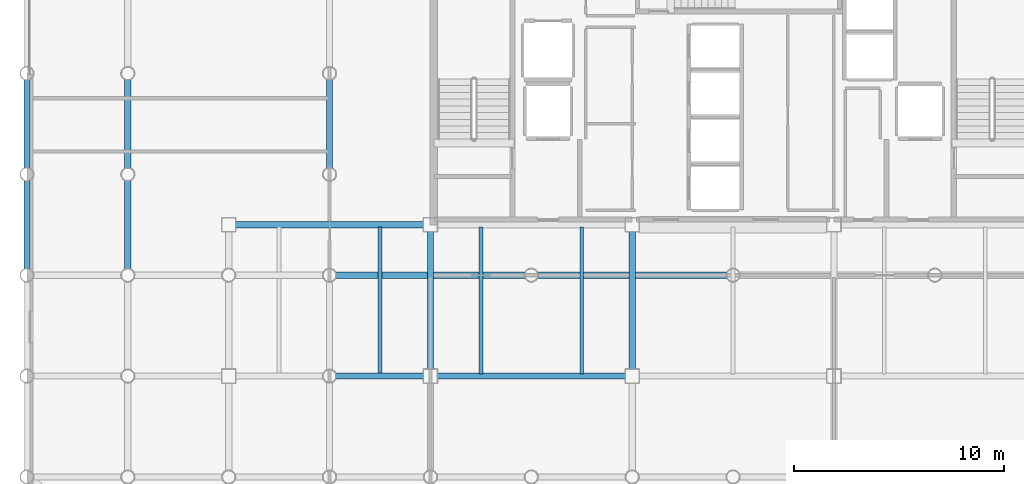
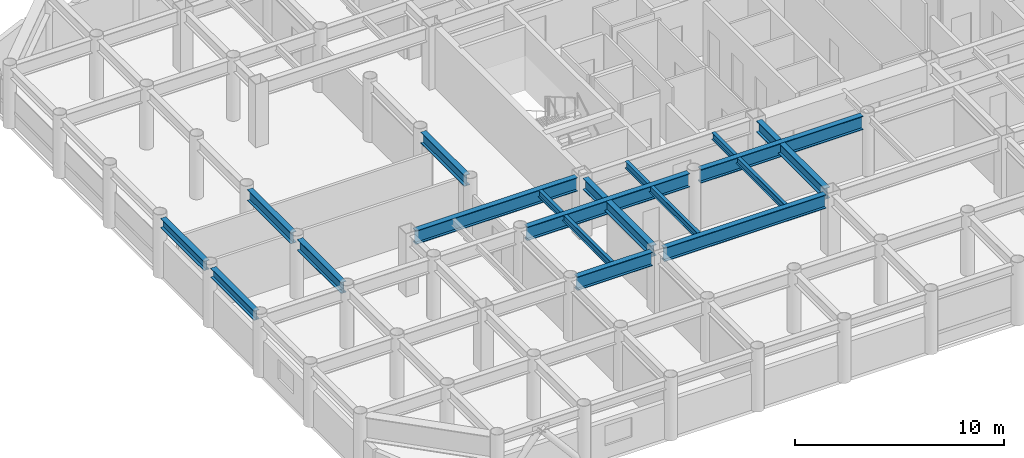
# One storey, part 3 of 19: 15 beams.
"""IFC4 building model written with IfcOpenShell, lengths in metres."""

from ifc_helpers import new_model, si_unit, direction, frame, origin, origin_2d, place, context, subcontext, project, spatial, i_section, extrude, material, material_profile, profile_set, type_object, element, save


model = new_model("IFC4")

# Units and contexts
model_context = context("Model", 3, precision=1e-05, world=origin(), true_north=direction((0.0, 1.0)))
body_context = subcontext(model_context, "Body", "Model", "MODEL_VIEW")
ifc_project = project(units=[si_unit("LENGTHUNIT", "METRE"), si_unit("AREAUNIT", "SQUARE_METRE"), si_unit("VOLUMEUNIT", "CUBIC_METRE"), si_unit("PLANEANGLEUNIT", "RADIAN"), si_unit("MASSUNIT", "GRAM", prefix="KILO")], contexts=[model_context])

# Site, building, storey
site_placement = place(None, origin())
site = spatial("IfcSite", under=ifc_project, at=site_placement, CompositionType="ELEMENT")
building_placement = place(site_placement, origin())
building = spatial("IfcBuilding", under=site, at=building_placement, Name="Kallvorn Hotel Tower", CompositionType="ELEMENT")
storey_placement = place(building_placement, frame((0.0, 0.0, 165.5)))
storey = spatial("IfcBuildingStorey", under=building, at=storey_placement, Name="L41", CompositionType="ELEMENT", Elevation=165.5)

# Beams
ifc_material_1 = material(Name="Structural steel S355JR", Category="steel")
ifc_material_profile_1 = material_profile(ifc_material_1, i_section(OverallWidth=0.300048828125, OverallDepth=0.550048828125, WebThickness=0.014892578125, FlangeThickness=0.029052734375, at=origin_2d()), Name="HE 550 B")
ifc_profile_set_1 = profile_set([ifc_material_profile_1], Name="Structural steel S355JR")
beam_type_1 = type_object("IfcBeamType", Name="BM_HE550B", PredefinedType="SPANDREL", material=ifc_profile_set_1)
for number, where, z_axis, x_axis, name in (
    (1, (-33.60009765625, -9.280029296875, 3.2451171875), (0.0, 1.0, 0.0), (-1.0, 0.0, 0.0), "L42 Perimeter Spandrel 176"),
    (2, (-33.60009765625, -4.47998046875, 3.2451171875), (0.0, 1.0, 0.0), (-1.0, 0.0, 0.0), "L42 Perimeter Spandrel 177"),
):
    element("IfcBeam", number, at=place(storey_placement, frame(where, z_axis=z_axis, x_axis=x_axis)), inside=storey, type_object=beam_type_1, Name=name, PredefinedType="SPANDREL", context=body_context, shape_type="SweptSolid", body=[
        extrude(i_section(OverallWidth=0.300048828125, OverallDepth=0.550048828125, WebThickness=0.014892578125, FlangeThickness=0.029052734375, at=origin_2d()), origin(), (0.0, 0.0, 1.0), 4.159912109375),
    ])
ifc_material_2 = material(Name="Structural steel S355JR", Category="steel")
ifc_material_profile_2 = material_profile(ifc_material_2, i_section(OverallWidth=0.300048828125, OverallDepth=0.64990234375, WebThickness=0.01611328125, FlangeThickness=0.031005859375, at=origin_2d()), Name="HE 650 B")
ifc_profile_set_2 = profile_set([ifc_material_profile_2], Name="Structural steel S355JR")
beam_type_2 = type_object("IfcBeamType", Name="BM_HE650B", PredefinedType="BEAM", material=ifc_profile_set_2)
beam_1_placement = place(storey_placement, frame((-28.800048828125, -9.294921875, 3.195068359375), z_axis=(0.0, 1.0, 0.0), x_axis=(-1.0, 0.0, 0.0)))
element("IfcBeam", 3, at=beam_1_placement, inside=storey, type_object=beam_type_2, Name="L42 Primary Y-Girder 76", PredefinedType="BEAM", context=body_context, shape_type="SweptSolid", body=[
    extrude(i_section(OverallWidth=0.300048828125, OverallDepth=0.64990234375, WebThickness=0.01611328125, FlangeThickness=0.031005859375, at=origin_2d()), origin(), (0.0, 0.0, 1.0), 4.18994140625),
])
for number, where, z_axis, x_axis, name in (
    (4, (-28.800048828125, -4.4951171875, 3.195068359375), (0.0, 1.0, 0.0), (-1.0, 0.0, 0.0), "L42 Primary Y-Girder 77"),
    (5, (-19.199951171875, -4.4951171875, 3.195068359375), (0.0, 1.0, 0.0), (-1.0, 0.0, 0.0), "L42 Primary Y-Girder 93"),
):
    element("IfcBeam", number, at=place(storey_placement, frame(where, z_axis=z_axis, x_axis=x_axis)), inside=storey, type_object=beam_type_2, Name=name, PredefinedType="BEAM", context=body_context, shape_type="SweptSolid", body=[
        extrude(i_section(OverallWidth=0.300048828125, OverallDepth=0.64990234375, WebThickness=0.01611328125, FlangeThickness=0.031005859375, at=origin_2d()), origin(), (0.0, 0.0, 1.0), 4.190185546875),
    ])
for number, where, z_axis, x_axis, name in (
    (6, (-14.39990234375, -14.074951171875, 3.195068359375), (0.0, 1.0, 0.0), (-1.0, 0.0, 0.0), "L42 Primary Y-Girder 100"),
    (7, (-4.800048828125, -14.074951171875, 3.195068359375), (0.0, 1.0, 0.0), (-1.0, 0.0, 0.0), "L42 Primary Y-Girder 108"),
):
    element("IfcBeam", number, at=place(storey_placement, frame(where, z_axis=z_axis, x_axis=x_axis)), inside=storey, type_object=beam_type_2, Name=name, PredefinedType="BEAM", context=body_context, shape_type="SweptSolid", body=[
        extrude(i_section(OverallWidth=0.300048828125, OverallDepth=0.64990234375, WebThickness=0.01611328125, FlangeThickness=0.031005859375, at=origin_2d()), origin(), (0.0, 0.0, 1.0), 6.550048828125),
    ])
ifc_material_3 = material(Name="Structural steel S355JR", Category="steel")
ifc_material_profile_3 = material_profile(ifc_material_3, i_section(OverallWidth=0.300048828125, OverallDepth=0.800048828125, WebThickness=0.017578125, FlangeThickness=0.032958984375, at=origin_2d()), Name="HE 800 B")
ifc_profile_set_3 = profile_set([ifc_material_profile_3], Name="Structural steel S355JR")
beam_type_3 = type_object("IfcBeamType", Name="BM_HE800B", PredefinedType="BEAM", material=ifc_profile_set_3)
beam_2_placement = place(storey_placement, frame((-18.89501953125, -14.39990234375, 3.1201171875), z_axis=(1.0, 0.0, 0.0), x_axis=(0.0, 1.0, 0.0)))
element("IfcBeam", 8, at=beam_2_placement, inside=storey, type_object=beam_type_3, Name="L42 Primary X-Girder 17", PredefinedType="BEAM", context=body_context, shape_type="SweptSolid", body=[
    extrude(i_section(OverallWidth=0.300048828125, OverallDepth=0.800048828125, WebThickness=0.017578125, FlangeThickness=0.032958984375, at=origin_2d()), origin(), (0.0, 0.0, 1.0), 4.169921875),
])
beam_3_placement = place(storey_placement, frame((-14.074951171875, -14.39990234375, 3.1201171875), z_axis=(1.0, 0.0, 0.0), x_axis=(0.0, 1.0, 0.0)))
element("IfcBeam", 9, at=beam_3_placement, inside=storey, type_object=beam_type_3, Name="L42 Primary X-Girder 18", PredefinedType="BEAM", context=body_context, shape_type="SweptSolid", body=[
    extrude(i_section(OverallWidth=0.300048828125, OverallDepth=0.800048828125, WebThickness=0.017578125, FlangeThickness=0.032958984375, at=origin_2d()), origin(), (0.0, 0.0, 1.0), 8.949951171875),
])
for number, where, z_axis, x_axis, name in (
    (10, (-18.89501953125, -9.60009765625, 3.1201171875), (1.0, 0.0, 0.0), (0.0, 1.0, 0.0), "L42 Primary X-Girder 27"),
    (11, (-9.294921875, -9.60009765625, 3.1201171875), (1.0, 0.0, 0.0), (0.0, 1.0, 0.0), "L42 Primary X-Girder 28"),
):
    element("IfcBeam", number, at=place(storey_placement, frame(where, z_axis=z_axis, x_axis=x_axis)), inside=storey, type_object=beam_type_3, Name=name, PredefinedType="BEAM", context=body_context, shape_type="SweptSolid", body=[
        extrude(i_section(OverallWidth=0.300048828125, OverallDepth=0.800048828125, WebThickness=0.017578125, FlangeThickness=0.032958984375, at=origin_2d()), origin(), (0.0, 0.0, 1.0), 8.989990234375),
    ])
beam_4_placement = place(storey_placement, frame((-23.675048828125, -7.199951171875, 3.1201171875), z_axis=(1.0, 0.0, 0.0), x_axis=(0.0, 1.0, 0.0)))
element("IfcBeam", 12, at=beam_4_placement, inside=storey, type_object=beam_type_3, Name="L42 Primary X-Girder 33", PredefinedType="BEAM", context=body_context, shape_type="SweptSolid", body=[
    extrude(i_section(OverallWidth=0.300048828125, OverallDepth=0.800048828125, WebThickness=0.017578125, FlangeThickness=0.032958984375, at=origin_2d()), origin(), (0.0, 0.0, 1.0), 8.949951171875),
])
ifc_material_4 = material(Name="Structural steel S355JR", Category="steel")
ifc_material_profile_4 = material_profile(ifc_material_4, i_section(OverallWidth=0.179931640625, OverallDepth=0.39990234375, WebThickness=0.008544921875, FlangeThickness=0.013427734375, at=origin_2d()), Name="IPE 400")
ifc_profile_set_4 = profile_set([ifc_material_profile_4], Name="Structural steel S355JR")
beam_type_4 = type_object("IfcBeamType", Name="BM_IPE400", PredefinedType="JOIST", material=ifc_profile_set_4)
for number, where, z_axis, x_axis, name in (
    (13, (-16.800048828125, -14.300048828125, 3.320068359375), (0.0, 1.0, 0.0), (-1.0, 0.0, 0.0), "L42 Secondary Composite Joist 194"),
    (14, (-12.0, -14.300048828125, 3.320068359375), (0.0, 1.0, 0.0), (-1.0, 0.0, 0.0), "L42 Secondary Composite Joist 196"),
    (15, (-7.199951171875, -14.300048828125, 3.320068359375), (0.0, 1.0, 0.0), (-1.0, 0.0, 0.0), "L42 Secondary Composite Joist 198"),
):
    element("IfcBeam", number, at=place(storey_placement, frame(where, z_axis=z_axis, x_axis=x_axis)), inside=storey, type_object=beam_type_4, Name=name, PredefinedType="JOIST", context=body_context, shape_type="SweptSolid", body=[
        extrude(i_section(OverallWidth=0.179931640625, OverallDepth=0.39990234375, WebThickness=0.008544921875, FlangeThickness=0.013427734375, at=origin_2d()), origin(), (0.0, 0.0, 1.0), 7.0),
    ])

save(model, "model.ifc")
